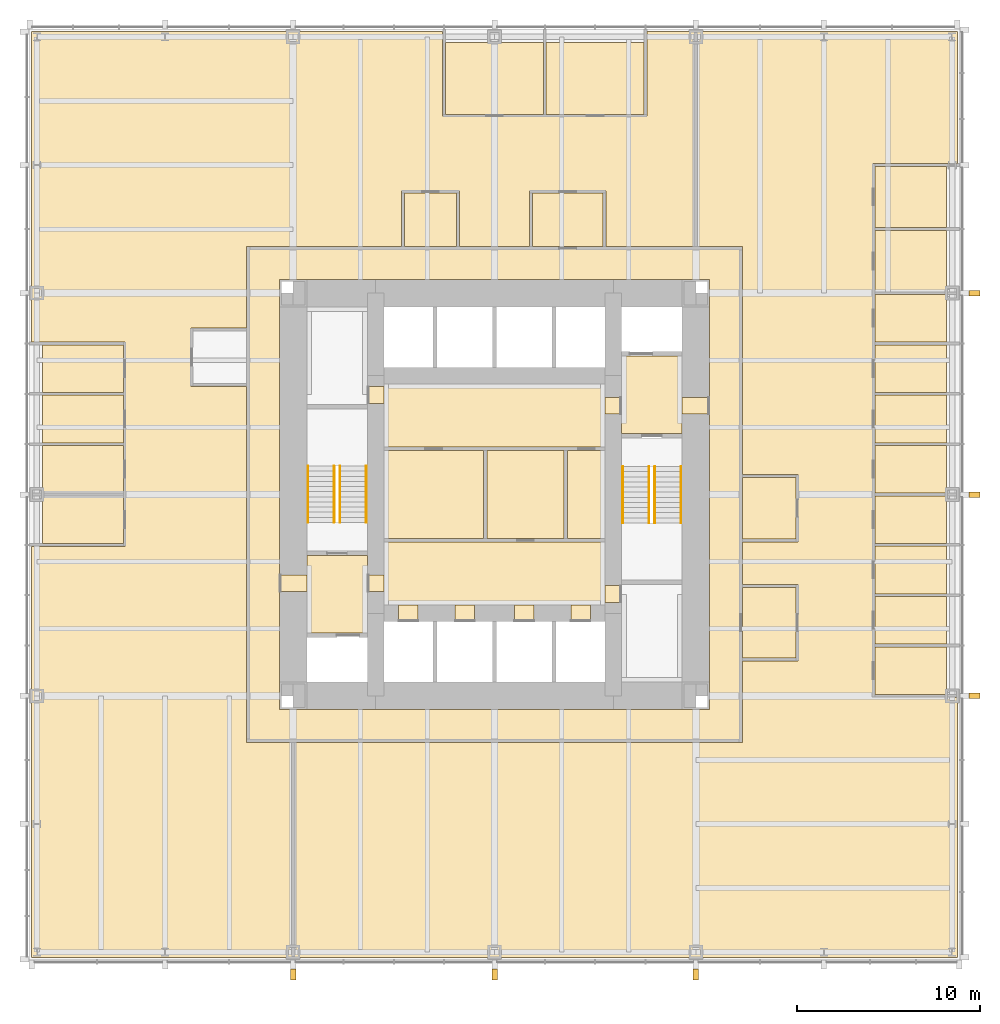
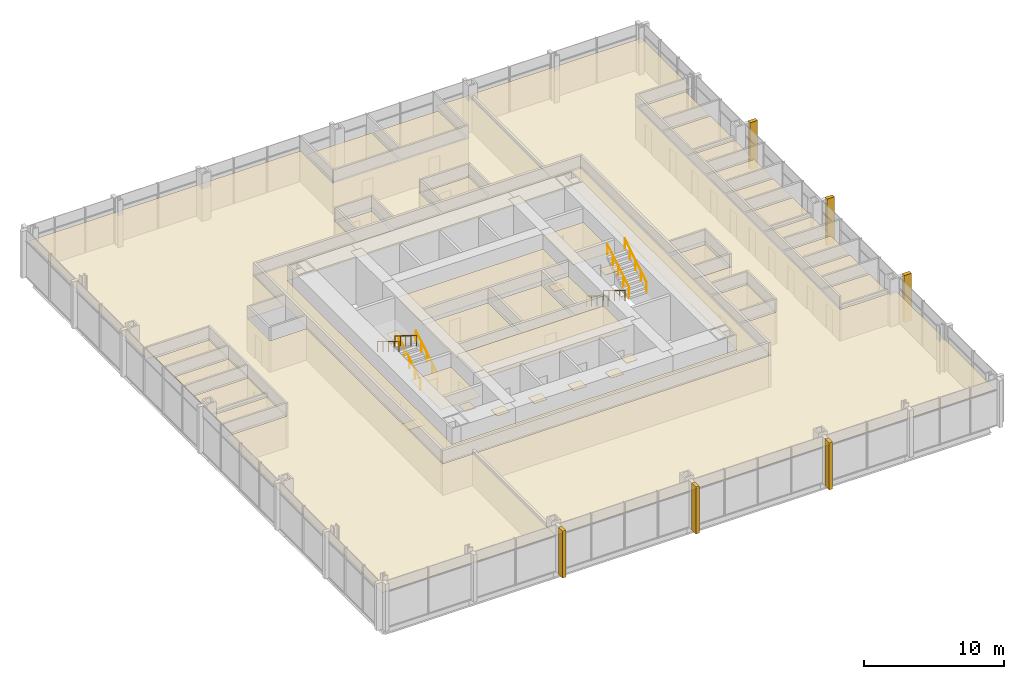
# One storey, part 12 of 12: 46 coverings, 8 railings.
"""IFC4 building model written with IfcOpenShell, lengths in metres."""

from ifc_helpers import new_model, si_unit, direction, frame, origin, origin_2d, place, context, subcontext, project, spatial, polyline, rectangle, circle, outline, extrude, material, layer, layer_set, type_object, element, save


model = new_model("IFC4")

# Units and contexts
model_context = context("Model", 3, precision=1e-05, world=origin(), true_north=direction((0.0, 1.0)))
body_context = subcontext(model_context, "Body", "Model", "MODEL_VIEW")
ifc_project = project(units=[si_unit("LENGTHUNIT", "METRE"), si_unit("AREAUNIT", "SQUARE_METRE"), si_unit("VOLUMEUNIT", "CUBIC_METRE"), si_unit("PLANEANGLEUNIT", "RADIAN"), si_unit("MASSUNIT", "GRAM", prefix="KILO")], contexts=[model_context])

# Site, building, storey
site_placement = place(None, origin())
site = spatial("IfcSite", under=ifc_project, at=site_placement, CompositionType="ELEMENT")
building_placement = place(site_placement, origin())
building = spatial("IfcBuilding", under=site, at=building_placement, Name="Trevanion Tower", CompositionType="ELEMENT")
storey_placement = place(building_placement, frame((0.0, 0.0, 52.89990234375)))
storey = spatial("IfcBuildingStorey", under=building, at=storey_placement, Name="L12", CompositionType="ELEMENT", Elevation=52.89990234375)

# Coverings
ifc_material_1 = material(Name="Fibrous plaster coffers on suspended steel grid", Category="steel")
ifc_layer_1 = layer(ifc_material_1, 0.050048828125)
ifc_layer_set_1 = layer_set([ifc_layer_1], Name="CL1 coffered fibrous plaster ceiling 50")
covering_type_1 = type_object("IfcCoveringType", Name="CL1 coffered fibrous plaster ceiling 50", PredefinedType="CEILING", material=ifc_layer_set_1)
covering_1_placement = place(storey_placement, frame((0.0, 0.0, 3.0)))
element("IfcCovering", 1, at=covering_1_placement, inside=storey, type_object=covering_type_1, Name="CL1 L12-LBS", PredefinedType="CEILING", context=body_context, shape_type="SweptSolid", body=[
    extrude(outline(polyline([(6.050048828125, -6.050048828125), (6.050048828125, -2.60009765625), (-6.050048828125, -2.60009765625), (-6.050048828125, -6.050048828125), (6.050048828125, -6.050048828125)])), origin(), (0.0, 0.0, 1.0), 0.050048828125),
])
ifc_material_2 = material(Name="Mineral fibre acoustic tiles in exposed grid", Category="mineral fibre")
ifc_layer_2 = layer(ifc_material_2, 0.02001953125)
ifc_layer_set_2 = layer_set([ifc_layer_2], Name="CL2 acoustic tile ceiling 20")
covering_type_2 = type_object("IfcCoveringType", Name="CL2 acoustic tile ceiling 20", PredefinedType="CEILING", material=ifc_layer_set_2)
covering_2_placement = place(storey_placement, frame((0.0, 0.0, 2.75)))
element("IfcCovering", 2, at=covering_2_placement, inside=storey, type_object=covering_type_2, Name="CL2 L12-LBN", PredefinedType="CEILING", context=body_context, shape_type="SweptSolid", body=[
    extrude(outline(polyline([(6.050048828125, 2.60009765625), (6.050048828125, 6.050048828125), (-6.050048828125, 6.050048828125), (-6.050048828125, 2.60009765625), (6.050048828125, 2.60009765625)])), origin(), (0.0, 0.0, 1.0), 0.02001953125),
])
covering_3_placement = place(storey_placement, frame((0.0, 0.0, 2.75)))
element("IfcCovering", 3, at=covering_3_placement, inside=storey, type_object=covering_type_2, Name="CL2 L12-CO", PredefinedType="CEILING", context=body_context, shape_type="SweptSolid", body=[
    extrude(outline(polyline([(-13.449951171875, 13.449951171875), (13.449951171875, 13.449951171875), (13.449951171875, -13.449951171875), (-13.449951171875, -13.449951171875), (-13.449951171875, 13.449951171875)]), holes=[polyline([(-11.75, 11.75), (-11.75, -11.75), (11.75, -11.75), (11.75, 11.75), (-11.75, 11.75)])]), origin(), (0.0, 0.0, 1.0), 0.02001953125),
])
covering_4_placement = place(storey_placement, frame((0.0, 0.0, 2.75)))
element("IfcCovering", 4, at=covering_4_placement, inside=storey, type_object=covering_type_2, Name="CL2 L12-OF", PredefinedType="CEILING", context=body_context, shape_type="SweptSolid", body=[
    extrude(outline(polyline([(20.77490234375, -10.925048828125), (20.77490234375, -8.324951171875), (24.699951171875, -8.324951171875), (24.699951171875, -10.925048828125), (20.77490234375, -10.925048828125)])), origin(), (0.0, 0.0, 1.0), 0.02001953125),
])
covering_5_placement = place(storey_placement, frame((0.0, 0.0, 2.75)))
element("IfcCovering", 5, at=covering_5_placement, inside=storey, type_object=covering_type_2, Name="CL2 L12-OF2", PredefinedType="CEILING", context=body_context, shape_type="SweptSolid", body=[
    extrude(outline(polyline([(20.77490234375, -8.175048828125), (20.77490234375, -5.574951171875), (24.699951171875, -5.574951171875), (24.699951171875, -8.175048828125), (20.77490234375, -8.175048828125)])), origin(), (0.0, 0.0, 1.0), 0.02001953125),
])
covering_6_placement = place(storey_placement, frame((0.0, 0.0, 2.75)))
element("IfcCovering", 6, at=covering_6_placement, inside=storey, type_object=covering_type_2, Name="CL2 L12-OF3", PredefinedType="CEILING", context=body_context, shape_type="SweptSolid", body=[
    extrude(outline(polyline([(20.77490234375, -5.425048828125), (20.77490234375, -2.824951171875), (24.699951171875, -2.824951171875), (24.699951171875, -5.425048828125), (20.77490234375, -5.425048828125)])), origin(), (0.0, 0.0, 1.0), 0.02001953125),
])
covering_7_placement = place(storey_placement, frame((0.0, 0.0, 2.75)))
element("IfcCovering", 7, at=covering_7_placement, inside=storey, type_object=covering_type_2, Name="CL2 L12-OF4", PredefinedType="CEILING", context=body_context, shape_type="SweptSolid", body=[
    extrude(outline(polyline([(20.77490234375, -2.675048828125), (20.77490234375, -0.074951171875), (24.699951171875, -0.074951171875), (24.699951171875, -2.675048828125), (20.77490234375, -2.675048828125)])), origin(), (0.0, 0.0, 1.0), 0.02001953125),
])
covering_8_placement = place(storey_placement, frame((0.0, 0.0, 2.75)))
element("IfcCovering", 8, at=covering_8_placement, inside=storey, type_object=covering_type_2, Name="CL2 L12-OF5", PredefinedType="CEILING", context=body_context, shape_type="SweptSolid", body=[
    extrude(outline(polyline([(20.77490234375, 0.074951171875), (20.77490234375, 2.675048828125), (24.699951171875, 2.675048828125), (24.699951171875, 0.074951171875), (20.77490234375, 0.074951171875)])), origin(), (0.0, 0.0, 1.0), 0.02001953125),
])
covering_9_placement = place(storey_placement, frame((0.0, 0.0, 2.75)))
element("IfcCovering", 9, at=covering_9_placement, inside=storey, type_object=covering_type_2, Name="CL2 L12-OF6", PredefinedType="CEILING", context=body_context, shape_type="SweptSolid", body=[
    extrude(outline(polyline([(20.77490234375, 2.824951171875), (20.77490234375, 5.425048828125), (24.699951171875, 5.425048828125), (24.699951171875, 2.824951171875), (20.77490234375, 2.824951171875)])), origin(), (0.0, 0.0, 1.0), 0.02001953125),
])
covering_10_placement = place(storey_placement, frame((0.0, 0.0, 2.75)))
element("IfcCovering", 10, at=covering_10_placement, inside=storey, type_object=covering_type_2, Name="CL2 L12-OF7", PredefinedType="CEILING", context=body_context, shape_type="SweptSolid", body=[
    extrude(outline(polyline([(20.77490234375, 5.574951171875), (20.77490234375, 8.175048828125), (24.699951171875, 8.175048828125), (24.699951171875, 5.574951171875), (20.77490234375, 5.574951171875)])), origin(), (0.0, 0.0, 1.0), 0.02001953125),
])
covering_11_placement = place(storey_placement, frame((0.0, 0.0, 2.75)))
element("IfcCovering", 11, at=covering_11_placement, inside=storey, type_object=covering_type_2, Name="CL2 L12-OF8", PredefinedType="CEILING", context=body_context, shape_type="SweptSolid", body=[
    extrude(outline(polyline([(20.77490234375, 8.324951171875), (20.77490234375, 10.925048828125), (24.699951171875, 10.925048828125), (24.699951171875, 8.324951171875), (20.77490234375, 8.324951171875)])), origin(), (0.0, 0.0, 1.0), 0.02001953125),
])
covering_12_placement = place(storey_placement, frame((0.0, 0.0, 2.75)))
element("IfcCovering", 12, at=covering_12_placement, inside=storey, type_object=covering_type_2, Name="CL2 L12-OF9", PredefinedType="CEILING", context=body_context, shape_type="SweptSolid", body=[
    extrude(outline(polyline([(20.77490234375, 11.074951171875), (20.77490234375, 14.425048828125), (24.699951171875, 14.425048828125), (24.699951171875, 11.074951171875), (20.77490234375, 11.074951171875)])), origin(), (0.0, 0.0, 1.0), 0.02001953125),
])
covering_13_placement = place(storey_placement, frame((0.0, 0.0, 2.75)))
element("IfcCovering", 13, at=covering_13_placement, inside=storey, type_object=covering_type_2, Name="CL2 L12-OF10", PredefinedType="CEILING", context=body_context, shape_type="SweptSolid", body=[
    extrude(outline(polyline([(20.77490234375, 14.574951171875), (20.77490234375, 17.925048828125), (24.699951171875, 17.925048828125), (24.699951171875, 14.574951171875), (20.77490234375, 14.574951171875)])), origin(), (0.0, 0.0, 1.0), 0.02001953125),
])
covering_14_placement = place(storey_placement, frame((0.0, 0.0, 2.75)))
element("IfcCovering", 14, at=covering_14_placement, inside=storey, type_object=covering_type_2, Name="CL2 L12-OF11", PredefinedType="CEILING", context=body_context, shape_type="SweptSolid", body=[
    extrude(outline(polyline([(-20.27490234375, 8.175048828125), (-20.27490234375, 5.574951171875), (-24.699951171875, 5.574951171875), (-24.699951171875, 8.175048828125), (-20.27490234375, 8.175048828125)])), origin(), (0.0, 0.0, 1.0), 0.02001953125),
])
covering_15_placement = place(storey_placement, frame((0.0, 0.0, 2.75)))
element("IfcCovering", 15, at=covering_15_placement, inside=storey, type_object=covering_type_2, Name="CL2 L12-OF12", PredefinedType="CEILING", context=body_context, shape_type="SweptSolid", body=[
    extrude(outline(polyline([(-20.27490234375, 5.425048828125), (-20.27490234375, 2.824951171875), (-24.699951171875, 2.824951171875), (-24.699951171875, 5.425048828125), (-20.27490234375, 5.425048828125)])), origin(), (0.0, 0.0, 1.0), 0.02001953125),
])
covering_16_placement = place(storey_placement, frame((0.0, 0.0, 2.75)))
element("IfcCovering", 16, at=covering_16_placement, inside=storey, type_object=covering_type_2, Name="CL2 L12-OF13", PredefinedType="CEILING", context=body_context, shape_type="SweptSolid", body=[
    extrude(outline(polyline([(-20.27490234375, 2.675048828125), (-20.27490234375, 0.074951171875), (-24.699951171875, 0.074951171875), (-24.699951171875, 2.675048828125), (-20.27490234375, 2.675048828125)])), origin(), (0.0, 0.0, 1.0), 0.02001953125),
])
covering_17_placement = place(storey_placement, frame((0.0, 0.0, 2.75)))
element("IfcCovering", 17, at=covering_17_placement, inside=storey, type_object=covering_type_2, Name="CL2 L12-OF14", PredefinedType="CEILING", context=body_context, shape_type="SweptSolid", body=[
    extrude(outline(polyline([(-20.27490234375, -0.074951171875), (-20.27490234375, -2.675048828125), (-24.699951171875, -2.675048828125), (-24.699951171875, -0.074951171875), (-20.27490234375, -0.074951171875)])), origin(), (0.0, 0.0, 1.0), 0.02001953125),
])
covering_18_placement = place(storey_placement, frame((0.0, 0.0, 2.75)))
element("IfcCovering", 18, at=covering_18_placement, inside=storey, type_object=covering_type_2, Name="CL2 L12-MR", PredefinedType="CEILING", context=body_context, shape_type="SweptSolid", body=[
    extrude(outline(polyline([(8.175048828125, 20.77490234375), (2.824951171875, 20.77490234375), (2.824951171875, 24.699951171875), (8.175048828125, 24.699951171875), (8.175048828125, 20.77490234375)])), origin(), (0.0, 0.0, 1.0), 0.02001953125),
])
covering_19_placement = place(storey_placement, frame((0.0, 0.0, 2.75)))
element("IfcCovering", 19, at=covering_19_placement, inside=storey, type_object=covering_type_2, Name="CL2 L12-MR2", PredefinedType="CEILING", context=body_context, shape_type="SweptSolid", body=[
    extrude(outline(polyline([(2.675048828125, 20.77490234375), (-2.675048828125, 20.77490234375), (-2.675048828125, 24.699951171875), (2.675048828125, 24.699951171875), (2.675048828125, 20.77490234375)])), origin(), (0.0, 0.0, 1.0), 0.02001953125),
])
covering_20_placement = place(storey_placement, frame((0.0, 0.0, 2.75)))
element("IfcCovering", 20, at=covering_20_placement, inside=storey, type_object=covering_type_2, Name="CL2 L12-RC", PredefinedType="CEILING", context=body_context, shape_type="SweptSolid", body=[
    extrude(outline(polyline([(13.550048828125, -8.925048828125), (13.550048828125, -5.074951171875), (16.47509765625, -5.074951171875), (16.47509765625, -8.925048828125), (13.550048828125, -8.925048828125)])), origin(), (0.0, 0.0, 1.0), 0.02001953125),
])
covering_21_placement = place(storey_placement, frame((0.0, 0.0, 2.75)))
element("IfcCovering", 21, at=covering_21_placement, inside=storey, type_object=covering_type_2, Name="CL2 L12-RC2", PredefinedType="CEILING", context=body_context, shape_type="SweptSolid", body=[
    extrude(outline(polyline([(5.925048828125, 13.550048828125), (2.074951171875, 13.550048828125), (2.074951171875, 16.47509765625), (5.925048828125, 16.47509765625), (5.925048828125, 13.550048828125)])), origin(), (0.0, 0.0, 1.0), 0.02001953125),
])
covering_22_placement = place(storey_placement, frame((0.0, 0.0, 2.75)))
element("IfcCovering", 22, at=covering_22_placement, inside=storey, type_object=covering_type_2, Name="CL2 L12-OP", PredefinedType="CEILING", context=body_context, shape_type="SweptSolid", body=[
    extrude(outline(polyline([(13.550048828125, -13.550048828125), (13.550048828125, -9.094970703125), (16.570068359375, -9.094970703125), (16.570068359375, -4.905029296875), (13.550048828125, -4.905029296875), (13.550048828125, -2.594970703125), (16.570068359375, -2.594970703125), (16.570068359375, 1.094970703125), (13.550048828125, 1.094970703125), (13.550048828125, 13.550048828125), (11.0, 13.550048828125), (11.0, 25.300048828125), (25.300048828125, 25.300048828125), (25.300048828125, 18.094970703125), (20.679931640625, 18.094970703125), (20.679931640625, -11.094970703125), (25.300048828125, -11.094970703125), (25.300048828125, -25.300048828125), (-11.0, -25.300048828125), (-11.0, -13.550048828125), (13.550048828125, -13.550048828125)])), origin(), (0.0, 0.0, 1.0), 0.02001953125),
])
covering_23_placement = place(storey_placement, frame((0.0, 0.0, 2.75)))
element("IfcCovering", 23, at=covering_23_placement, inside=storey, type_object=covering_type_2, Name="CL2 L12-OP2", PredefinedType="CEILING", context=body_context, shape_type="SweptSolid", body=[
    extrude(outline(polyline([(-11.0, -13.550048828125), (-11.0, -25.300048828125), (-25.300048828125, -25.300048828125), (-25.300048828125, -2.844970703125), (-20.179931640625, -2.844970703125), (-20.179931640625, 8.344970703125), (-25.300048828125, 8.344970703125), (-25.300048828125, 25.300048828125), (-2.844970703125, 25.300048828125), (-2.844970703125, 20.679931640625), (8.344970703125, 20.679931640625), (8.344970703125, 25.300048828125), (11.0, 25.300048828125), (11.0, 13.550048828125), (6.094970703125, 13.550048828125), (6.094970703125, 16.570068359375), (1.905029296875, 16.570068359375), (1.905029296875, 13.550048828125), (-1.905029296875, 13.550048828125), (-1.905029296875, 16.570068359375), (-5.094970703125, 16.570068359375), (-5.094970703125, 13.550048828125), (-13.550048828125, 13.550048828125), (-13.550048828125, 9.094970703125), (-16.570068359375, 9.094970703125), (-16.570068359375, 5.905029296875), (-13.550048828125, 5.905029296875), (-13.550048828125, -13.550048828125), (-11.0, -13.550048828125)])), origin(), (0.0, 0.0, 1.0), 0.02001953125),
])
ifc_material_3 = material(Name="Gypsum plasterboard on suspended metal furring", Category="gypsum")
ifc_layer_3 = layer(ifc_material_3, 0.012939453125)
ifc_layer_set_3 = layer_set([ifc_layer_3], Name="CL3 plasterboard ceiling 13")
covering_type_3 = type_object("IfcCoveringType", Name="CL3 plasterboard ceiling 13", PredefinedType="CEILING", material=ifc_layer_set_3)
covering_24_placement = place(storey_placement, frame((0.0, 0.0, 2.7001953125)))
element("IfcCovering", 24, at=covering_24_placement, inside=storey, type_object=covering_type_3, Name="CL3 L12-FV1", PredefinedType="CEILING", context=body_context, shape_type="SweptSolid", body=[
    extrude(outline(polyline([(10.25, 3.324951171875), (10.25, 7.574951171875), (6.949951171875, 7.574951171875), (6.949951171875, 3.324951171875), (10.25, 3.324951171875)])), origin(), (0.0, 0.0, 1.0), 0.012939453125),
])
covering_25_placement = place(storey_placement, frame((0.0, 0.0, 2.7001953125)))
element("IfcCovering", 25, at=covering_25_placement, inside=storey, type_object=covering_type_3, Name="CL3 L12-FV2", PredefinedType="CEILING", context=body_context, shape_type="SweptSolid", body=[
    extrude(outline(polyline([(-10.25, -3.324951171875), (-10.25, -7.574951171875), (-6.949951171875, -7.574951171875), (-6.949951171875, -3.324951171875), (-10.25, -3.324951171875)])), origin(), (0.0, 0.0, 1.0), 0.012939453125),
])
ifc_material_4 = material(Name="Moisture-resistant gypsum board on suspended metal furring", Category="gypsum")
ifc_layer_4 = layer(ifc_material_4, 0.01611328125)
ifc_layer_set_4 = layer_set([ifc_layer_4], Name="CL4 moisture-resistant board ceiling 16")
covering_type_4 = type_object("IfcCoveringType", Name="CL4 moisture-resistant board ceiling 16", PredefinedType="CEILING", material=ifc_layer_set_4)
covering_26_placement = place(storey_placement, frame((0.0, 0.0, 2.60009765625)))
element("IfcCovering", 26, at=covering_26_placement, inside=storey, type_object=covering_type_4, Name="CL4 L12-WCM", PredefinedType="CEILING", context=body_context, shape_type="SweptSolid", body=[
    extrude(outline(polyline([(-0.60009765625, -2.39990234375), (-0.60009765625, 2.39990234375), (-6.050048828125, 2.39990234375), (-6.050048828125, -2.39990234375), (-0.60009765625, -2.39990234375)])), origin(), (0.0, 0.0, 1.0), 0.01611328125),
])
covering_27_placement = place(storey_placement, frame((0.0, 0.0, 2.60009765625)))
element("IfcCovering", 27, at=covering_27_placement, inside=storey, type_object=covering_type_4, Name="CL4 L12-WCF", PredefinedType="CEILING", context=body_context, shape_type="SweptSolid", body=[
    extrude(outline(polyline([(3.800048828125, -2.39990234375), (3.800048828125, 2.39990234375), (-0.39990234375, 2.39990234375), (-0.39990234375, -2.39990234375), (3.800048828125, -2.39990234375)])), origin(), (0.0, 0.0, 1.0), 0.01611328125),
])
covering_28_placement = place(storey_placement, frame((0.0, 0.0, 2.60009765625)))
element("IfcCovering", 28, at=covering_28_placement, inside=storey, type_object=covering_type_4, Name="CL4 L12-WCA", PredefinedType="CEILING", context=body_context, shape_type="SweptSolid", body=[
    extrude(outline(polyline([(6.050048828125, -2.39990234375), (6.050048828125, 2.39990234375), (4.0, 2.39990234375), (4.0, -2.39990234375), (6.050048828125, -2.39990234375)])), origin(), (0.0, 0.0, 1.0), 0.01611328125),
])
covering_29_placement = place(storey_placement, frame((0.0, 0.0, 2.60009765625)))
element("IfcCovering", 29, at=covering_29_placement, inside=storey, type_object=covering_type_4, Name="CL4 L12-PA", PredefinedType="CEILING", context=body_context, shape_type="SweptSolid", body=[
    extrude(outline(polyline([(13.550048828125, -2.425048828125), (13.550048828125, 0.925048828125), (16.47509765625, 0.925048828125), (16.47509765625, -2.425048828125), (13.550048828125, -2.425048828125)])), origin(), (0.0, 0.0, 1.0), 0.01611328125),
])
covering_30_placement = place(storey_placement, frame((0.0, 0.0, 2.60009765625)))
element("IfcCovering", 30, at=covering_30_placement, inside=storey, type_object=covering_type_4, Name="CL4 L12-PA2", PredefinedType="CEILING", context=body_context, shape_type="SweptSolid", body=[
    extrude(outline(polyline([(-2.074951171875, 13.550048828125), (-4.925048828125, 13.550048828125), (-4.925048828125, 16.47509765625), (-2.074951171875, 16.47509765625), (-2.074951171875, 13.550048828125)])), origin(), (0.0, 0.0, 1.0), 0.01611328125),
])
ifc_material_5 = material(Name="Cast bronze fin on aluminium carrier", Category="aluminium")
covering_type_5 = type_object("IfcCoveringType", Name="F1 bronze fin", PredefinedType="CLADDING", material=ifc_material_5)
for number, where, z_axis, x_axis, name in (
    (31, (26.22509765625, -11.0, -0.18994140625), (0.0, 0.0, 1.0), (0.0, 1.0, 0.0), "F1 L12 east -11.0"),
    (32, (26.22509765625, 0.0, -0.18994140625), (0.0, 0.0, 1.0), (0.0, 1.0, 0.0), "F1 L12 east +0.0"),
    (33, (26.22509765625, 11.0, -0.18994140625), (0.0, 0.0, 1.0), (0.0, 1.0, 0.0), "F1 L12 east +11.0"),
    (34, (-11.0, -26.22509765625, -0.18994140625), (0.0, 0.0, 1.0), (1.0, 0.0, 0.0), "F1 L12 south -11.0"),
    (35, (0.0, -26.22509765625, -0.18994140625), (0.0, 0.0, 1.0), (1.0, 0.0, 0.0), "F1 L12 south +0.0"),
    (36, (11.0, -26.22509765625, -0.18994140625), (0.0, 0.0, 1.0), (1.0, 0.0, 0.0), "F1 L12 south +11.0"),
):
    element("IfcCovering", number, at=place(storey_placement, frame(where, z_axis=z_axis, x_axis=x_axis)), inside=storey, type_object=covering_type_5, Name=name, PredefinedType="CLADDING", context=body_context, shape_type="SweptSolid", body=[
        extrude(rectangle(XDim=0.300048828125, YDim=0.60009765625, at=origin_2d()), origin(), (0.0, 0.0, 1.0), 4.10009765625),
    ])
ifc_material_6 = material(Name="Terrazzo, brass divider strips", Category="stone")
ifc_layer_5 = layer(ifc_material_6, 0.02001953125)
ifc_layer_set_5 = layer_set([ifc_layer_5], Name="FF1 terrazzo flooring")
covering_type_6 = type_object("IfcCoveringType", Name="FF1 terrazzo flooring", PredefinedType="FLOORING", material=ifc_layer_set_5)
covering_31_placement = place(storey_placement, origin())
element("IfcCovering", 37, at=covering_31_placement, inside=storey, type_object=covering_type_6, Name="FF1 threshold 12-001", PredefinedType="FLOORING", context=body_context, shape_type="SweptSolid", body=[
    extrude(outline(polyline([(11.75, 4.392578125), (11.75, 5.3076171875), (10.25, 5.3076171875), (10.25, 4.392578125), (11.75, 4.392578125)])), origin(), (0.0, 0.0, 1.0), 0.02001953125),
])
covering_32_placement = place(storey_placement, origin())
element("IfcCovering", 38, at=covering_32_placement, inside=storey, type_object=covering_type_6, Name="FF1 threshold 12-002", PredefinedType="FLOORING", context=body_context, shape_type="SweptSolid", body=[
    extrude(outline(polyline([(-11.75, -4.392578125), (-11.75, -5.3076171875), (-10.25, -5.3076171875), (-10.25, -4.392578125), (-11.75, -4.392578125)])), origin(), (0.0, 0.0, 1.0), 0.02001953125),
])
covering_33_placement = place(storey_placement, origin())
element("IfcCovering", 39, at=covering_33_placement, inside=storey, type_object=covering_type_6, Name="FF1 threshold 12-003", PredefinedType="FLOORING", context=body_context, shape_type="SweptSolid", body=[
    extrude(outline(polyline([(6.949951171875, 4.392578125), (6.949951171875, 5.3076171875), (6.050048828125, 5.3076171875), (6.050048828125, 4.392578125), (6.949951171875, 4.392578125)])), origin(), (0.0, 0.0, 1.0), 0.02001953125),
])
covering_34_placement = place(storey_placement, origin())
element("IfcCovering", 40, at=covering_34_placement, inside=storey, type_object=covering_type_6, Name="FF1 threshold 12-004", PredefinedType="FLOORING", context=body_context, shape_type="SweptSolid", body=[
    extrude(outline(polyline([(-6.949951171875, -4.392578125), (-6.949951171875, -5.3076171875), (-6.050048828125, -5.3076171875), (-6.050048828125, -4.392578125), (-6.949951171875, -4.392578125)])), origin(), (0.0, 0.0, 1.0), 0.02001953125),
])
covering_35_placement = place(storey_placement, origin())
element("IfcCovering", 41, at=covering_35_placement, inside=storey, type_object=covering_type_6, Name="FF1 threshold 12-009", PredefinedType="FLOORING", context=body_context, shape_type="SweptSolid", body=[
    extrude(outline(polyline([(6.949951171875, -5.889892578125), (6.949951171875, -4.97509765625), (6.050048828125, -4.97509765625), (6.050048828125, -5.889892578125), (6.949951171875, -5.889892578125)])), origin(), (0.0, 0.0, 1.0), 0.02001953125),
])
covering_36_placement = place(storey_placement, origin())
element("IfcCovering", 42, at=covering_36_placement, inside=storey, type_object=covering_type_6, Name="FF1 threshold 12-010", PredefinedType="FLOORING", context=body_context, shape_type="SweptSolid", body=[
    extrude(outline(polyline([(-6.949951171875, 5.889892578125), (-6.949951171875, 4.97509765625), (-6.050048828125, 4.97509765625), (-6.050048828125, 5.889892578125), (-6.949951171875, 5.889892578125)])), origin(), (0.0, 0.0, 1.0), 0.02001953125),
])
covering_37_placement = place(storey_placement, origin())
element("IfcCovering", 43, at=covering_37_placement, inside=storey, type_object=covering_type_6, Name="FF1 threshold 12-011", PredefinedType="FLOORING", context=body_context, shape_type="SweptSolid", body=[
    extrude(outline(polyline([(-5.2333984375, -6.949951171875), (-4.16650390625, -6.949951171875), (-4.16650390625, -6.050048828125), (-5.2333984375, -6.050048828125), (-5.2333984375, -6.949951171875)])), origin(), (0.0, 0.0, 1.0), 0.02001953125),
])
covering_38_placement = place(storey_placement, origin())
element("IfcCovering", 44, at=covering_38_placement, inside=storey, type_object=covering_type_6, Name="FF1 threshold 12-012", PredefinedType="FLOORING", context=body_context, shape_type="SweptSolid", body=[
    extrude(outline(polyline([(-2.158447265625, -6.949951171875), (-1.091552734375, -6.949951171875), (-1.091552734375, -6.050048828125), (-2.158447265625, -6.050048828125), (-2.158447265625, -6.949951171875)])), origin(), (0.0, 0.0, 1.0), 0.02001953125),
])
covering_39_placement = place(storey_placement, origin())
element("IfcCovering", 45, at=covering_39_placement, inside=storey, type_object=covering_type_6, Name="FF1 threshold 12-013", PredefinedType="FLOORING", context=body_context, shape_type="SweptSolid", body=[
    extrude(outline(polyline([(1.091552734375, -6.949951171875), (2.158447265625, -6.949951171875), (2.158447265625, -6.050048828125), (1.091552734375, -6.050048828125), (1.091552734375, -6.949951171875)])), origin(), (0.0, 0.0, 1.0), 0.02001953125),
])
covering_40_placement = place(storey_placement, origin())
element("IfcCovering", 46, at=covering_40_placement, inside=storey, type_object=covering_type_6, Name="FF1 threshold 12-014", PredefinedType="FLOORING", context=body_context, shape_type="SweptSolid", body=[
    extrude(outline(polyline([(4.16650390625, -6.949951171875), (5.2333984375, -6.949951171875), (5.2333984375, -6.050048828125), (4.16650390625, -6.050048828125), (4.16650390625, -6.949951171875)])), origin(), (0.0, 0.0, 1.0), 0.02001953125),
])

# Railings
ifc_material_7 = material(Name="Stainless steel tube 40 mm", Category="steel")
railing_type = type_object("IfcRailingType", Name="HR1 handrail", PredefinedType="HANDRAIL", material=ifc_material_7)
for number, where, name in (
    (47, (7.010009765625, 1.52490234375, 0.1708984375), "HR1 ST1 L12 flight 1"),
    (48, (8.43994140625, 1.52490234375, 0.1708984375), "HR1 ST1 L12 flight 1"),
):
    element("IfcRailing", number, at=place(storey_placement, frame(where)), inside=storey, type_object=railing_type, Name=name, PredefinedType="HANDRAIL", context=body_context, shape_type="SweptSolid", body=[
        extrude(circle(Radius=0.02001953125, at=origin_2d()), frame((0.0, 0.0, 0.8798828125), z_axis=(0.0, -0.853647949592, 0.520850437417), x_axis=(1.0, 0.0, 0.0)), (0.0, 0.0, 1.0), 3.60791015625),
        extrude(circle(Radius=0.01513671875, at=origin_2d()), origin(), (0.0, 0.0, 1.0), 0.85986328125),
        extrude(circle(Radius=0.01513671875, at=origin_2d()), frame((0.0, -0.77001953125, 0.4697265625)), (0.0, 0.0, 1.0), 0.85986328125),
        extrude(circle(Radius=0.01513671875, at=origin_2d()), frame((0.0, -1.5400390625, 0.939453125)), (0.0, 0.0, 1.0), 0.85986328125),
        extrude(circle(Radius=0.01513671875, at=origin_2d()), frame((0.0, -2.309814453125, 1.409423828125)), (0.0, 0.0, 1.0), 0.85986328125),
        extrude(circle(Radius=0.01513671875, at=origin_2d()), frame((0.0, -3.079833984375, 1.879150390625)), (0.0, 0.0, 1.0), 0.85986328125),
    ])
for number, where, name in (
    (49, (8.760009765625, -1.554931640625, 2.220947265625), "HR1 ST1 L12 flight 2"),
    (50, (10.18994140625, -1.554931640625, 2.220947265625), "HR1 ST1 L12 flight 2"),
    (51, (-7.010009765625, -1.52490234375, 0.1708984375), "HR1 ST2 L12 flight 1"),
    (52, (-8.43994140625, -1.52490234375, 0.1708984375), "HR1 ST2 L12 flight 1"),
):
    element("IfcRailing", number, at=place(storey_placement, frame(where)), inside=storey, type_object=railing_type, Name=name, PredefinedType="HANDRAIL", context=body_context, shape_type="SweptSolid", body=[
        extrude(circle(Radius=0.02001953125, at=origin_2d()), frame((0.0, 0.0, 0.8798828125), z_axis=(0.0, 0.853647949592, 0.520850437417), x_axis=(-1.0, 0.0, 0.0)), (0.0, 0.0, 1.0), 3.60791015625),
        extrude(circle(Radius=0.01513671875, at=origin_2d()), origin(), (0.0, 0.0, 1.0), 0.85986328125),
        extrude(circle(Radius=0.01513671875, at=origin_2d()), frame((0.0, 0.77001953125, 0.4697265625)), (0.0, 0.0, 1.0), 0.85986328125),
        extrude(circle(Radius=0.01513671875, at=origin_2d()), frame((0.0, 1.5400390625, 0.939453125)), (0.0, 0.0, 1.0), 0.85986328125),
        extrude(circle(Radius=0.01513671875, at=origin_2d()), frame((0.0, 2.309814453125, 1.409423828125)), (0.0, 0.0, 1.0), 0.85986328125),
        extrude(circle(Radius=0.01513671875, at=origin_2d()), frame((0.0, 3.079833984375, 1.879150390625)), (0.0, 0.0, 1.0), 0.85986328125),
    ])
for number, where, name in (
    (53, (-8.760009765625, 1.554931640625, 2.220947265625), "HR1 ST2 L12 flight 2"),
    (54, (-10.18994140625, 1.554931640625, 2.220947265625), "HR1 ST2 L12 flight 2"),
):
    element("IfcRailing", number, at=place(storey_placement, frame(where)), inside=storey, type_object=railing_type, Name=name, PredefinedType="HANDRAIL", context=body_context, shape_type="SweptSolid", body=[
        extrude(circle(Radius=0.02001953125, at=origin_2d()), frame((0.0, 0.0, 0.8798828125), z_axis=(0.0, -0.853647949592, 0.520850437417), x_axis=(1.0, 0.0, 0.0)), (0.0, 0.0, 1.0), 3.60791015625),
        extrude(circle(Radius=0.01513671875, at=origin_2d()), origin(), (0.0, 0.0, 1.0), 0.85986328125),
        extrude(circle(Radius=0.01513671875, at=origin_2d()), frame((0.0, -0.77001953125, 0.4697265625)), (0.0, 0.0, 1.0), 0.85986328125),
        extrude(circle(Radius=0.01513671875, at=origin_2d()), frame((0.0, -1.5400390625, 0.939453125)), (0.0, 0.0, 1.0), 0.85986328125),
        extrude(circle(Radius=0.01513671875, at=origin_2d()), frame((0.0, -2.309814453125, 1.409423828125)), (0.0, 0.0, 1.0), 0.85986328125),
        extrude(circle(Radius=0.01513671875, at=origin_2d()), frame((0.0, -3.079833984375, 1.879150390625)), (0.0, 0.0, 1.0), 0.85986328125),
    ])

save(model, "model.ifc")
